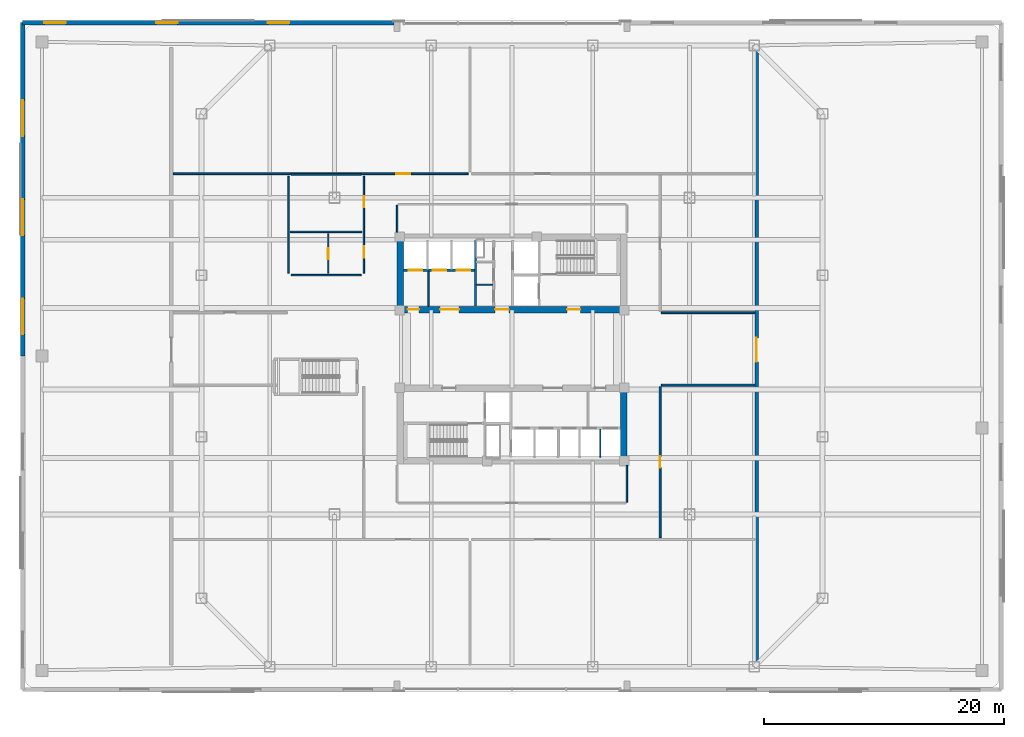
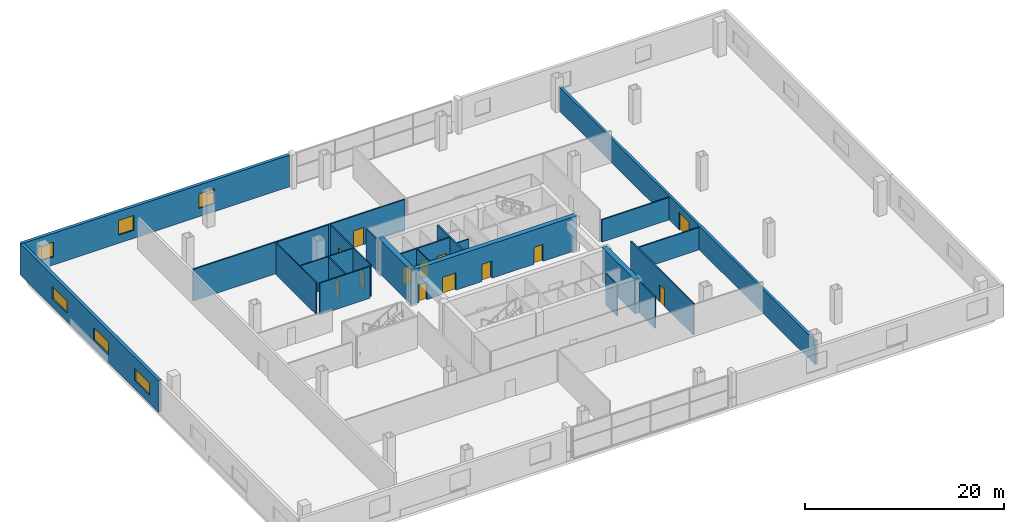
# One storey, part 13 of 21: 23 walls, 13 doors, 6 windows, 19 openings.
"""IFC4 building model written with IfcOpenShell, lengths in metres."""

from ifc_helpers import new_model, si_unit, direction, frame, frame_2d, origin, place, context, subcontext, project, spatial, rectangle, extrude, material, layer, layer_set, type_object, element, fill, save


model = new_model("IFC4")

# Units and contexts
model_context = context("Model", 3, precision=1e-05, world=origin(), true_north=direction((0.0, 1.0)))
body_context = subcontext(model_context, "Body", "Model", "MODEL_VIEW")
ifc_project = project(units=[si_unit("LENGTHUNIT", "METRE"), si_unit("AREAUNIT", "SQUARE_METRE"), si_unit("VOLUMEUNIT", "CUBIC_METRE"), si_unit("PLANEANGLEUNIT", "RADIAN"), si_unit("MASSUNIT", "GRAM", prefix="KILO")], contexts=[model_context])

# Site, building, storey
site_placement = place(None, origin())
site = spatial("IfcSite", under=ifc_project, at=site_placement, CompositionType="ELEMENT")
building_placement = place(site_placement, origin())
building = spatial("IfcBuilding", under=site, at=building_placement, Name="Qhalaya Broadcast Tower", CompositionType="ELEMENT")
storey_placement = place(building_placement, frame((0.0, 0.0, 5.10009765625)))
storey = spatial("IfcBuildingStorey", under=building, at=storey_placement, Name="L01", CompositionType="ELEMENT", Elevation=5.10009765625)

# Wall, opening, door
ifc_material_1 = material(Name="Gypsum Acoustic Partition")
ifc_layer_1 = layer(ifc_material_1, 0.14990234375, Name="Gypsum Acoustic Partition")
ifc_layer_set_1 = layer_set([ifc_layer_1], Name="Gypsum Acoustic Partition")
wall_type_1 = type_object("IfcWallType", Name="Corridor & Tenancy Acoustic Partition 150", PredefinedType="PARTITIONING", material=ifc_layer_set_1)
wall_1_placement = place(storey_placement, frame((-28.239990234375, 15.199951171875, 0.0), z_axis=(0.0, 0.0, 1.0), x_axis=(1.0, 0.0, 0.0)))
wall_1 = element("IfcWall", 1, at=wall_1_placement, inside=storey, type_object=wall_type_1, Name="L01 Partition Wall W-STN1L", PredefinedType="PARTITIONING", context=body_context, shape_type="SweptSolid", body=[
    extrude(rectangle(XDim=24.580078125, YDim=0.14990234375, at=frame_2d((12.2900390625, 0.0))), origin(), (0.0, 0.0, 1.0), 3.8798828125),
])
opening_1_placement = place(wall_1_placement, frame((18.572021484375, 0.0, 0.0)))
opening_1 = element("IfcOpeningElement", 2, at=opening_1_placement, cuts=wall_1, Name="Opening D11", PredefinedType="OPENING", context=body_context, shape_type="SweptSolid", body=[
    extrude(rectangle(XDim=1.199951171875, YDim=2.10009765625, at=frame_2d((0.60009765625, 1.050048828125))), frame((0.0, 0.0869140625, 0.0), z_axis=(0.0, -1.0, 0.0), x_axis=(1.0, 0.0, 0.0)), (0.0, 0.0, 1.0), 0.173828125),
])
ifc_material_2 = material(Name="Anodised Aluminium Glazed Door", Category="aluminium")
door_type_1 = type_object("IfcDoorType", Name="Conference, Boardroom & Studio Control Door D11", OperationType="NOTDEFINED", PredefinedType="DOOR", material=ifc_material_2)
door_1_placement = place(opening_1_placement, origin())
door_1 = element("IfcDoor", 3, at=door_1_placement, inside=storey, type_object=door_type_1, Name="L01 Door D-STN1", OperationType="SINGLE_SWING_LEFT", OverallHeight=2.10009765625, OverallWidth=1.199951171875, PredefinedType="DOOR", context=body_context, shape_type="SweptSolid", body=[
    extrude(rectangle(XDim=1.199951171875, YDim=2.10009765625, at=frame_2d((0.60009765625, 1.050048828125))), frame((0.0, 0.02490234375, 0.0), z_axis=(0.0, -1.0, 0.0), x_axis=(1.0, 0.0, 0.0)), (0.0, 0.0, 1.0), 0.050048828125),
])
fill(opening_1, door_1)

wall_2_placement = place(storey_placement, frame((12.35009765625, -15.139892578125, 0.0), z_axis=(0.0, 0.0, 1.0), x_axis=(0.0, 1.0, 0.0)))
wall_2 = element("IfcWall", 4, at=wall_2_placement, inside=storey, type_object=wall_type_1, Name="L01 Partition Wall W-STPES", PredefinedType="PARTITIONING", context=body_context, shape_type="SweptSolid", body=[
    extrude(rectangle(XDim=12.599853515625, YDim=0.14990234375, at=frame_2d((6.2998046875, 0.0))), origin(), (0.0, 0.0, 1.0), 3.8798828125),
])
opening_2_placement = place(wall_2_placement, frame((5.824951171875, 0.0, 0.0)))
opening_2 = element("IfcOpeningElement", 5, at=opening_2_placement, cuts=wall_2, Name="Opening D10", PredefinedType="OPENING", context=body_context, shape_type="SweptSolid", body=[
    extrude(rectangle(XDim=0.949951171875, YDim=2.10009765625, at=frame_2d((0.47509765625, 1.050048828125))), frame((0.0, 0.0869140625, 0.0), z_axis=(0.0, -1.0, 0.0), x_axis=(1.0, 0.0, 0.0)), (0.0, 0.0, 1.0), 0.173828125),
])
ifc_material_3 = material(Name="Timber Veneer Acoustic Door", Category="wood")
door_type_2 = type_object("IfcDoorType", Name="Cellular Office & Edit Booth Door D10", OperationType="NOTDEFINED", PredefinedType="DOOR", material=ifc_material_3)
door_2_placement = place(opening_2_placement, origin())
door_2 = element("IfcDoor", 6, at=door_2_placement, inside=storey, type_object=door_type_2, Name="L01 Door D-STPE1", OperationType="SINGLE_SWING_RIGHT", OverallHeight=2.10009765625, OverallWidth=0.949951171875, PredefinedType="DOOR", context=body_context, shape_type="SweptSolid", body=[
    extrude(rectangle(XDim=0.949951171875, YDim=2.10009765625, at=frame_2d((0.47509765625, 1.050048828125))), frame((0.0, 0.02490234375, 0.0), z_axis=(0.0, -1.0, 0.0), x_axis=(1.0, 0.0, 0.0)), (0.0, 0.0, 1.0), 0.050048828125),
])
fill(opening_2, door_2)

# Walls
for number, where, z_axis, x_axis, name in (
    (7, (12.4599609375, -2.419921875, 0.0), (0.0, 0.0, 1.0), (1.0, 0.0, 0.0), "L01 Partition Wall W-STP-CS"),
    (8, (12.4599609375, 3.6201171875, 0.0), (0.0, 0.0, 1.0), (1.0, 0.0, 0.0), "L01 Partition Wall W-STP-CN"),
):
    element("IfcWall", number, at=place(storey_placement, frame(where, z_axis=z_axis, x_axis=x_axis)), inside=storey, type_object=wall_type_1, Name=name, PredefinedType="PARTITIONING", context=body_context, shape_type="SweptSolid", body=[
        extrude(rectangle(XDim=7.800048828125, YDim=0.14990234375, at=frame_2d((3.89990234375, 0.0))), origin(), (0.0, 0.0, 1.0), 2.741943359375),
    ])

# Wall, opening, door
ifc_layer_2 = layer(ifc_material_1, 0.280029296875, Name="Gypsum Acoustic Partition")
ifc_layer_set_2 = layer_set([ifc_layer_2], Name="Gypsum Acoustic Partition")
wall_type_2 = type_object("IfcWallType", Name="Double-Leaf Soundstage Acoustic Wall 280", PredefinedType="MOVABLE", material=ifc_layer_set_2)
wall_3_placement = place(storey_placement, frame((20.39990234375, -25.739990234375, 0.0), z_axis=(0.0, 0.0, 1.0), x_axis=(0.0, 1.0, 0.0)))
wall_3 = element("IfcWall", 9, at=wall_3_placement, inside=storey, type_object=wall_type_2, Name="L01 Partition Wall W-STBE", PredefinedType="MOVABLE", context=body_context, shape_type="SweptSolid", body=[
    extrude(rectangle(XDim=51.47998046875, YDim=0.280029296875, at=frame_2d((25.739990234375, 0.0))), origin(), (0.0, 0.0, 1.0), 2.932861328125),
])
opening_3_placement = place(wall_3_placement, frame((25.2548828125, 0.0, 0.0)))
opening_3 = element("IfcOpeningElement", 10, at=opening_3_placement, cuts=wall_3, Name="Opening D08", PredefinedType="OPENING", context=body_context, shape_type="SweptSolid", body=[
    extrude(rectangle(XDim=2.0, YDim=2.139892578125, at=frame_2d((1.0, 1.06982421875))), frame((0.0, 0.152099609375, 0.0), z_axis=(0.0, -1.0, 0.0), x_axis=(1.0, 0.0, 0.0)), (0.0, 0.0, 1.0), 0.303955078125),
])
ifc_material_4 = material(Name="Acoustic Studio Isolation Steel Door", Category="steel")
door_type_3 = type_object("IfcDoorType", Name="Soundstage Acoustic Isolation Double Door D08", OperationType="DOUBLE_DOOR_SINGLE_SWING", PredefinedType="DOOR", material=ifc_material_4)
door_3_placement = place(opening_3_placement, origin())
door_3 = element("IfcDoor", 11, at=door_3_placement, inside=storey, type_object=door_type_3, Name="L01 Door D-STB1", OperationType="DOUBLE_DOOR_SINGLE_SWING", OverallHeight=2.139892578125, OverallWidth=2.0, PredefinedType="DOOR", context=body_context, shape_type="SweptSolid", body=[
    extrude(rectangle(XDim=2.0, YDim=2.139892578125, at=frame_2d((1.0, 1.06982421875))), frame((0.0, 0.02490234375, 0.0), z_axis=(0.0, -1.0, 0.0), x_axis=(1.0, 0.0, 0.0)), (0.0, 0.0, 1.0), 0.050048828125),
])
fill(opening_3, door_3)

# Wall, openings, windows
ifc_material_5 = material(Name="Precast Concrete C40/50", Category="concrete")
ifc_layer_3 = layer(ifc_material_5, 0.360107421875, Name="Precast Concrete C40/50")
ifc_layer_set_3 = layer_set([ifc_layer_3], Name="Precast Concrete C40/50")
wall_type_3 = type_object("IfcWallType", Name="Insulated Precast Terracotta Exterior Wall 360", PredefinedType="SOLIDWALL", material=ifc_layer_set_3)
wall_4_placement = place(storey_placement, frame((-40.800048828125, 27.800048828125, 0.0), z_axis=(0.0, 0.0, 1.0), x_axis=(1.0, 0.0, 0.0)))
wall_4 = element("IfcWall", 12, at=wall_4_placement, inside=storey, type_object=wall_type_3, Name="L01 Podium Exterior Terracotta Wall EW-NW", PredefinedType="SOLIDWALL", context=body_context, shape_type="SweptSolid", body=[
    extrude(rectangle(XDim=30.9599609375, YDim=0.360107421875, at=frame_2d((15.47998046875, 0.0))), origin(), (0.0, 0.0, 1.0), 3.8798828125),
])
opening_4_placement = place(wall_4_placement, frame((1.800048828125, 0.0, 1.0)))
opening_4 = element("IfcOpeningElement", 13, at=opening_4_placement, cuts=wall_4, Name="Opening W02", PredefinedType="OPENING", context=body_context, shape_type="SweptSolid", body=[
    extrude(rectangle(XDim=1.800048828125, YDim=1.800048828125, at=frame_2d((0.89990234375, 0.89990234375))), frame((0.0, 0.192138671875, 0.0), z_axis=(0.0, -1.0, 0.0), x_axis=(1.0, 0.0, 0.0)), (0.0, 0.0, 1.0), 0.384033203125),
])
opening_5_placement = place(wall_4_placement, frame((11.1201171875, 0.0, 1.0)))
opening_5 = element("IfcOpeningElement", 14, at=opening_5_placement, cuts=wall_4, Name="Opening W02", PredefinedType="OPENING", context=body_context, shape_type="SweptSolid", body=[
    extrude(rectangle(XDim=1.800048828125, YDim=1.800048828125, at=frame_2d((0.89990234375, 0.89990234375))), frame((0.0, 0.192138671875, 0.0), z_axis=(0.0, -1.0, 0.0), x_axis=(1.0, 0.0, 0.0)), (0.0, 0.0, 1.0), 0.384033203125),
])
opening_6_placement = place(wall_4_placement, frame((20.43994140625, 0.0, 1.0)))
opening_6 = element("IfcOpeningElement", 15, at=opening_6_placement, cuts=wall_4, Name="Opening W02", PredefinedType="OPENING", context=body_context, shape_type="SweptSolid", body=[
    extrude(rectangle(XDim=1.800048828125, YDim=1.800048828125, at=frame_2d((0.89990234375, 0.89990234375))), frame((0.0, 0.192138671875, 0.0), z_axis=(0.0, -1.0, 0.0), x_axis=(1.0, 0.0, 0.0)), (0.0, 0.0, 1.0), 0.384033203125),
])
ifc_material_6 = material(Name="Solar-Control Low-E Triple Glazing", Category="glass")
window_type_1 = type_object("IfcWindowType", Name="Podium Production Office Window W02", PartitioningType="SINGLE_PANEL", PredefinedType="WINDOW", material=ifc_material_6)
window_1_placement = place(opening_4_placement, origin())
window_1 = element("IfcWindow", 16, at=window_1_placement, inside=storey, type_object=window_type_1, Name="L01 Facade Window W02-1", OverallHeight=1.800048828125, OverallWidth=1.800048828125, PartitioningType="SINGLE_PANEL", PredefinedType="WINDOW", context=body_context, shape_type="SweptSolid", body=[
    extrude(rectangle(XDim=1.800048828125, YDim=1.800048828125, at=frame_2d((0.89990234375, 0.89990234375))), frame((0.0, 0.030029296875, 0.0), z_axis=(0.0, -1.0, 0.0), x_axis=(1.0, 0.0, 0.0)), (0.0, 0.0, 1.0), 0.06005859375),
])
fill(opening_4, window_1)
window_2_placement = place(opening_5_placement, origin())
window_2 = element("IfcWindow", 17, at=window_2_placement, inside=storey, type_object=window_type_1, Name="L01 Facade Window W02-2", OverallHeight=1.800048828125, OverallWidth=1.800048828125, PartitioningType="SINGLE_PANEL", PredefinedType="WINDOW", context=body_context, shape_type="SweptSolid", body=[
    extrude(rectangle(XDim=1.800048828125, YDim=1.800048828125, at=frame_2d((0.89990234375, 0.89990234375))), frame((0.0, 0.030029296875, 0.0), z_axis=(0.0, -1.0, 0.0), x_axis=(1.0, 0.0, 0.0)), (0.0, 0.0, 1.0), 0.06005859375),
])
fill(opening_5, window_2)
window_3_placement = place(opening_6_placement, origin())
window_3 = element("IfcWindow", 18, at=window_3_placement, inside=storey, type_object=window_type_1, Name="L01 Facade Window W02-3", OverallHeight=1.800048828125, OverallWidth=1.800048828125, PartitioningType="SINGLE_PANEL", PredefinedType="WINDOW", context=body_context, shape_type="SweptSolid", body=[
    extrude(rectangle(XDim=1.800048828125, YDim=1.800048828125, at=frame_2d((0.89990234375, 0.89990234375))), frame((0.0, 0.030029296875, 0.0), z_axis=(0.0, -1.0, 0.0), x_axis=(1.0, 0.0, 0.0)), (0.0, 0.0, 1.0), 0.06005859375),
])
fill(opening_6, window_3)

wall_5_placement = place(storey_placement, frame((-40.800048828125, 0.0, 0.0), z_axis=(0.0, 0.0, 1.0), x_axis=(0.0, 1.0, 0.0)))
wall_5 = element("IfcWall", 19, at=wall_5_placement, inside=storey, type_object=wall_type_3, Name="L01 Podium Exterior Terracotta Wall EW-WN", PredefinedType="SOLIDWALL", context=body_context, shape_type="SweptSolid", body=[
    extrude(rectangle(XDim=27.800048828125, YDim=0.360107421875, at=frame_2d((13.89990234375, 0.0))), origin(), (0.0, 0.0, 1.0), 3.8798828125),
])
opening_7_placement = place(wall_5_placement, frame((1.800048828125, 0.0, 1.0)))
opening_7 = element("IfcOpeningElement", 20, at=opening_7_placement, cuts=wall_5, Name="Opening W03", PredefinedType="OPENING", context=body_context, shape_type="SweptSolid", body=[
    extrude(rectangle(XDim=3.0, YDim=1.5, at=frame_2d((1.5, 0.75))), frame((0.0, 0.192138671875, 0.0), z_axis=(0.0, -1.0, 0.0), x_axis=(1.0, 0.0, 0.0)), (0.0, 0.0, 1.0), 0.384033203125),
])
opening_8_placement = place(wall_5_placement, frame((10.06689453125, 0.0, 1.0)))
opening_8 = element("IfcOpeningElement", 21, at=opening_8_placement, cuts=wall_5, Name="Opening W03", PredefinedType="OPENING", context=body_context, shape_type="SweptSolid", body=[
    extrude(rectangle(XDim=3.0, YDim=1.5, at=frame_2d((1.5, 0.75))), frame((0.0, 0.192138671875, 0.0), z_axis=(0.0, -1.0, 0.0), x_axis=(1.0, 0.0, 0.0)), (0.0, 0.0, 1.0), 0.384033203125),
])
opening_9_placement = place(wall_5_placement, frame((18.3330078125, 0.0, 1.0)))
opening_9 = element("IfcOpeningElement", 22, at=opening_9_placement, cuts=wall_5, Name="Opening W03", PredefinedType="OPENING", context=body_context, shape_type="SweptSolid", body=[
    extrude(rectangle(XDim=3.0, YDim=1.5, at=frame_2d((1.5, 0.75))), frame((0.0, 0.192138671875, 0.0), z_axis=(0.0, -1.0, 0.0), x_axis=(1.0, 0.0, 0.0)), (0.0, 0.0, 1.0), 0.384033203125),
])
window_type_2 = type_object("IfcWindowType", Name="Podium Concourse Clerestory Window W03", PartitioningType="SINGLE_PANEL", PredefinedType="WINDOW", material=ifc_material_6)
window_4_placement = place(opening_7_placement, origin())
window_4 = element("IfcWindow", 23, at=window_4_placement, inside=storey, type_object=window_type_2, Name="L01 Facade Window W03-1", OverallHeight=1.5, OverallWidth=3.0, PartitioningType="SINGLE_PANEL", PredefinedType="WINDOW", context=body_context, shape_type="SweptSolid", body=[
    extrude(rectangle(XDim=3.0, YDim=1.5, at=frame_2d((1.5, 0.75))), frame((0.0, 0.030029296875, 0.0), z_axis=(0.0, -1.0, 0.0), x_axis=(1.0, 0.0, 0.0)), (0.0, 0.0, 1.0), 0.06005859375),
])
fill(opening_7, window_4)
window_5_placement = place(opening_8_placement, origin())
window_5 = element("IfcWindow", 24, at=window_5_placement, inside=storey, type_object=window_type_2, Name="L01 Facade Window W03-2", OverallHeight=1.5, OverallWidth=3.0, PartitioningType="SINGLE_PANEL", PredefinedType="WINDOW", context=body_context, shape_type="SweptSolid", body=[
    extrude(rectangle(XDim=3.0, YDim=1.5, at=frame_2d((1.5, 0.75))), frame((0.0, 0.030029296875, 0.0), z_axis=(0.0, -1.0, 0.0), x_axis=(1.0, 0.0, 0.0)), (0.0, 0.0, 1.0), 0.06005859375),
])
fill(opening_8, window_5)
window_6_placement = place(opening_9_placement, origin())
window_6 = element("IfcWindow", 25, at=window_6_placement, inside=storey, type_object=window_type_2, Name="L01 Facade Window W03-3", OverallHeight=1.5, OverallWidth=3.0, PartitioningType="SINGLE_PANEL", PredefinedType="WINDOW", context=body_context, shape_type="SweptSolid", body=[
    extrude(rectangle(XDim=3.0, YDim=1.5, at=frame_2d((1.5, 0.75))), frame((0.0, 0.030029296875, 0.0), z_axis=(0.0, -1.0, 0.0), x_axis=(1.0, 0.0, 0.0)), (0.0, 0.0, 1.0), 0.06005859375),
])
fill(opening_9, window_6)

# Wall, openings, doors
ifc_material_7 = material(Name="Concrete C60/75", Category="concrete")
ifc_layer_4 = layer(ifc_material_7, 0.550048828125, Name="Concrete C60/75")
ifc_layer_set_4 = layer_set([ifc_layer_4], Name="Concrete C60/75")
wall_type_4 = type_object("IfcWallType", Name="Lower Split-Core Shear Wall 550", PredefinedType="SHEAR", material=ifc_layer_set_4)
wall_6_placement = place(storey_placement, frame((-9.60009765625, 3.875, 0.0), z_axis=(0.0, 0.0, 1.0), x_axis=(1.0, 0.0, 0.0)))
wall_6 = element("IfcWall", 26, at=wall_6_placement, inside=storey, type_object=wall_type_4, Name="L01 Split-Core Shear Wall CW-NS", PredefinedType="SHEAR", context=body_context, shape_type="SweptSolid", body=[
    extrude(rectangle(XDim=19.2001953125, YDim=0.550048828125, at=frame_2d((9.60009765625, 0.0))), origin(), (0.0, 0.0, 1.0), 4.199951171875),
])
opening_10_placement = place(wall_6_placement, frame((14.199951171875, 0.0, 0.0)))
opening_10 = element("IfcOpeningElement", 27, at=opening_10_placement, cuts=wall_6, Name="Opening D04", PredefinedType="OPENING", context=body_context, shape_type="SweptSolid", body=[
    extrude(rectangle(XDim=1.10009765625, YDim=2.080078125, at=frame_2d((0.550048828125, 1.0400390625))), frame((0.0, 0.287109375, 0.0), z_axis=(0.0, -1.0, 0.0), x_axis=(1.0, 0.0, 0.0)), (0.0, 0.0, 1.0), 0.573974609375),
])
opening_11_placement = place(wall_6_placement, frame((8.199951171875, 0.0, 0.0)))
opening_11 = element("IfcOpeningElement", 28, at=opening_11_placement, cuts=wall_6, Name="Opening D05", PredefinedType="OPENING", context=body_context, shape_type="SweptSolid", body=[
    extrude(rectangle(XDim=1.14990234375, YDim=2.10009765625, at=frame_2d((0.574951171875, 1.050048828125))), frame((0.0, 0.287109375, 0.0), z_axis=(0.0, -1.0, 0.0), x_axis=(1.0, 0.0, 0.0)), (0.0, 0.0, 1.0), 0.573974609375),
])
opening_12_placement = place(wall_6_placement, frame((0.89990234375, 0.0, 0.0)))
opening_12 = element("IfcOpeningElement", 29, at=opening_12_placement, cuts=wall_6, Name="Opening D10", PredefinedType="OPENING", context=body_context, shape_type="SweptSolid", body=[
    extrude(rectangle(XDim=0.949951171875, YDim=2.10009765625, at=frame_2d((0.47509765625, 1.050048828125))), frame((0.0, 0.287109375, 0.0), z_axis=(0.0, -1.0, 0.0), x_axis=(1.0, 0.0, 0.0)), (0.0, 0.0, 1.0), 0.573974609375),
])
opening_13_placement = place(wall_6_placement, frame((3.60009765625, 0.0, 0.0)))
opening_13 = element("IfcOpeningElement", 30, at=opening_13_placement, cuts=wall_6, Name="Opening D07", PredefinedType="OPENING", context=body_context, shape_type="SweptSolid", body=[
    extrude(rectangle(XDim=1.60009765625, YDim=2.1201171875, at=frame_2d((0.800048828125, 1.06005859375))), frame((0.0, 0.287109375, 0.0), z_axis=(0.0, -1.0, 0.0), x_axis=(1.0, 0.0, 0.0)), (0.0, 0.0, 1.0), 0.573974609375),
])
door_4_placement = place(opening_12_placement, origin())
door_4 = element("IfcDoor", 31, at=door_4_placement, inside=storey, type_object=door_type_2, Name="L01 Door D-NLPNT", OperationType="SINGLE_SWING_RIGHT", OverallHeight=2.10009765625, OverallWidth=0.949951171875, PredefinedType="DOOR", context=body_context, shape_type="SweptSolid", body=[
    extrude(rectangle(XDim=0.949951171875, YDim=2.10009765625, at=frame_2d((0.47509765625, 1.050048828125))), frame((0.0, 0.02490234375, 0.0), z_axis=(0.0, -1.0, 0.0), x_axis=(1.0, 0.0, 0.0)), (0.0, 0.0, 1.0), 0.050048828125),
])
fill(opening_12, door_4)
ifc_material_8 = material(Name="Fire-Rated Steel Door", Category="steel")
door_type_4 = type_object("IfcDoorType", Name="Firefighting Lobby Rated Door D04", OperationType="NOTDEFINED", PredefinedType="DOOR", material=ifc_material_8)
door_5_placement = place(opening_10_placement, origin())
door_5 = element("IfcDoor", 32, at=door_5_placement, inside=storey, type_object=door_type_4, Name="L01 Door D-NFF", OperationType="SINGLE_SWING_RIGHT", OverallHeight=2.080078125, OverallWidth=1.10009765625, PredefinedType="DOOR", context=body_context, shape_type="SweptSolid", body=[
    extrude(rectangle(XDim=1.10009765625, YDim=2.080078125, at=frame_2d((0.550048828125, 1.0400390625))), frame((0.0, 0.02490234375, 0.0), z_axis=(0.0, -1.0, 0.0), x_axis=(1.0, 0.0, 0.0)), (0.0, 0.0, 1.0), 0.050048828125),
])
fill(opening_10, door_5)
door_type_5 = type_object("IfcDoorType", Name="Passenger Lift Lobby Double Glazed Door D07", OperationType="DOUBLE_DOOR_SINGLE_SWING", PredefinedType="DOOR", material=ifc_material_2)
door_6_placement = place(opening_13_placement, origin())
door_6 = element("IfcDoor", 33, at=door_6_placement, inside=storey, type_object=door_type_5, Name="L01 Door D-NPLL", OperationType="DOUBLE_DOOR_SINGLE_SWING", OverallHeight=2.1201171875, OverallWidth=1.60009765625, PredefinedType="DOOR", context=body_context, shape_type="SweptSolid", body=[
    extrude(rectangle(XDim=1.60009765625, YDim=2.1201171875, at=frame_2d((0.800048828125, 1.06005859375))), frame((0.0, 0.02490234375, 0.0), z_axis=(0.0, -1.0, 0.0), x_axis=(1.0, 0.0, 0.0)), (0.0, 0.0, 1.0), 0.050048828125),
])
fill(opening_13, door_6)
door_type_6 = type_object("IfcDoorType", Name="Refuge & Plant Room Fire Door D05", OperationType="NOTDEFINED", PredefinedType="DOOR", material=ifc_material_8)
door_7_placement = place(opening_11_placement, origin())
door_7 = element("IfcDoor", 34, at=door_7_placement, inside=storey, type_object=door_type_6, Name="L01 Door D-NSVL", OperationType="SINGLE_SWING_LEFT", OverallHeight=2.10009765625, OverallWidth=1.14990234375, PredefinedType="DOOR", context=body_context, shape_type="SweptSolid", body=[
    extrude(rectangle(XDim=1.14990234375, YDim=2.10009765625, at=frame_2d((0.574951171875, 1.050048828125))), frame((0.0, 0.02490234375, 0.0), z_axis=(0.0, -1.0, 0.0), x_axis=(1.0, 0.0, 0.0)), (0.0, 0.0, 1.0), 0.050048828125),
])
fill(opening_11, door_7)

# Walls
wall_7_placement = place(storey_placement, frame((-9.324951171875, 3.60009765625, 0.0), z_axis=(0.0, 0.0, 1.0), x_axis=(0.0, 1.0, 0.0)))
element("IfcWall", 35, at=wall_7_placement, inside=storey, type_object=wall_type_4, Name="L01 Split-Core Shear Wall CW-NW", PredefinedType="SHEAR", context=body_context, shape_type="SweptSolid", body=[
    extrude(rectangle(XDim=6.599853515625, YDim=0.550048828125, at=frame_2d((3.2998046875, 0.0))), origin(), (0.0, 0.0, 1.0), 4.199951171875),
])
wall_8_placement = place(storey_placement, frame((9.324951171875, -9.0, 0.0), z_axis=(0.0, 0.0, 1.0), x_axis=(0.0, 1.0, 0.0)))
element("IfcWall", 36, at=wall_8_placement, inside=storey, type_object=wall_type_4, Name="L01 Split-Core Shear Wall CW-SE", PredefinedType="SHEAR", context=body_context, shape_type="SweptSolid", body=[
    extrude(rectangle(XDim=6.60009765625, YDim=0.550048828125, at=frame_2d((3.300048828125, 0.0))), origin(), (0.0, 0.0, 1.0), 4.199951171875),
])
ifc_layer_5 = layer(ifc_material_1, 0.1201171875, Name="Gypsum Acoustic Partition")
ifc_layer_set_5 = layer_set([ifc_layer_5], Name="Gypsum Acoustic Partition")
wall_type_5 = type_object("IfcWallType", Name="Office, Booth & Sanitary Partition 120", PredefinedType="PARTITIONING", material=ifc_layer_set_5)
wall_9_placement = place(storey_placement, frame((-2.9599609375, 5.949951171875, 0.0), z_axis=(0.0, 0.0, 1.0), x_axis=(1.0, 0.0, 0.0)))
element("IfcWall", 37, at=wall_9_placement, inside=storey, type_object=wall_type_5, Name="L01 Partition Wall NCW-VB1", PredefinedType="PARTITIONING", context=body_context, shape_type="SweptSolid", body=[
    extrude(rectangle(XDim=1.35986328125, YDim=0.1201171875, at=frame_2d((0.679931640625, 0.0))), origin(), (0.0, 0.0, 1.0), 3.8798828125),
])
wall_10_placement = place(storey_placement, frame((-6.949951171875, 4.169921875, 0.0), z_axis=(0.0, 0.0, 1.0), x_axis=(0.0, 1.0, 0.0)))
element("IfcWall", 38, at=wall_10_placement, inside=storey, type_object=wall_type_5, Name="L01 Partition Wall NCW-LKB", PredefinedType="PARTITIONING", context=body_context, shape_type="SweptSolid", body=[
    extrude(rectangle(XDim=2.89013671875, YDim=0.1201171875, at=frame_2d((1.445068359375, 0.0))), origin(), (0.0, 0.0, 1.0), 3.8798828125),
])
wall_11_placement = place(storey_placement, frame((7.360107421875, -8.429931640625, 0.0), z_axis=(0.0, 0.0, 1.0), x_axis=(0.0, 1.0, 0.0)))
element("IfcWall", 39, at=wall_11_placement, inside=storey, type_object=wall_type_5, Name="L01 Partition Wall SCW-HD7", PredefinedType="PARTITIONING", context=body_context, shape_type="SweptSolid", body=[
    extrude(rectangle(XDim=2.329833984375, YDim=0.1201171875, at=frame_2d((1.1650390625, 0.0))), origin(), (0.0, 0.0, 1.0), 3.8798828125),
])
for number, where, z_axis, x_axis, name in (
    (40, (-18.419921875, 6.75, 0.0), (0.0, 0.0, 1.0), (1.0, 0.0, 0.0), "L01 Partition Wall W-PWCS"),
    (41, (-18.419921875, 15.14990234375, 0.0), (0.0, 0.0, 1.0), (1.0, 0.0, 0.0), "L01 Partition Wall W-PWCN"),
):
    element("IfcWall", number, at=place(storey_placement, frame(where, z_axis=z_axis, x_axis=x_axis)), inside=storey, type_object=wall_type_5, Name=name, PredefinedType="PARTITIONING", context=body_context, shape_type="SweptSolid", body=[
        extrude(rectangle(XDim=5.83984375, YDim=0.1201171875, at=frame_2d((2.919921875, 0.0))), origin(), (0.0, 0.0, 1.0), 3.8798828125),
    ])
wall_12_placement = place(storey_placement, frame((-18.64990234375, 6.909912109375, 0.0), z_axis=(0.0, 0.0, 1.0), x_axis=(0.0, 1.0, 0.0)))
element("IfcWall", 42, at=wall_12_placement, inside=storey, type_object=wall_type_5, Name="L01 Partition Wall W-PWCW", PredefinedType="PARTITIONING", context=body_context, shape_type="SweptSolid", body=[
    extrude(rectangle(XDim=8.080078125, YDim=0.1201171875, at=frame_2d((4.0400390625, 0.0))), origin(), (0.0, 0.0, 1.0), 3.8798828125),
])
wall_13_placement = place(storey_placement, frame((-18.489990234375, 10.35009765625, 0.0), z_axis=(0.0, 0.0, 1.0), x_axis=(1.0, 0.0, 0.0)))
element("IfcWall", 43, at=wall_13_placement, inside=storey, type_object=wall_type_5, Name="L01 Partition Wall W-PWCM", PredefinedType="PARTITIONING", context=body_context, shape_type="SweptSolid", body=[
    extrude(rectangle(XDim=5.97998046875, YDim=0.1201171875, at=frame_2d((2.989990234375, 0.0))), origin(), (0.0, 0.0, 1.0), 3.8798828125),
])

# Wall, opening, door
wall_14_placement = place(storey_placement, frame((-15.320068359375, 6.909912109375, 0.0), z_axis=(0.0, 0.0, 1.0), x_axis=(0.0, 1.0, 0.0)))
wall_14 = element("IfcWall", 44, at=wall_14_placement, inside=storey, type_object=wall_type_5, Name="L01 Partition Wall W-PWCD", PredefinedType="PARTITIONING", context=body_context, shape_type="SweptSolid", body=[
    extrude(rectangle(XDim=3.280029296875, YDim=0.1201171875, at=frame_2d((1.64013671875, 0.0))), origin(), (0.0, 0.0, 1.0), 3.8798828125),
])
opening_14_placement = place(wall_14_placement, frame((1.1650390625, 0.0, 0.0)))
opening_14 = element("IfcOpeningElement", 45, at=opening_14_placement, cuts=wall_14, Name="Opening D12", PredefinedType="OPENING", context=body_context, shape_type="SweptSolid", body=[
    extrude(rectangle(XDim=0.919921875, YDim=2.10009765625, at=frame_2d((0.4599609375, 1.050048828125))), frame((0.0, 0.072021484375, 0.0), z_axis=(0.0, -1.0, 0.0), x_axis=(1.0, 0.0, 0.0)), (0.0, 0.0, 1.0), 0.14404296875),
])
door_type_7 = type_object("IfcDoorType", Name="Accessible WC & Restroom Door D12", OperationType="NOTDEFINED", PredefinedType="DOOR", material=ifc_material_3)
door_8_placement = place(opening_14_placement, origin())
door_8 = element("IfcDoor", 46, at=door_8_placement, inside=storey, type_object=door_type_7, Name="L01 Door D-PWCA", OperationType="SINGLE_SWING_LEFT", OverallHeight=2.10009765625, OverallWidth=0.919921875, PredefinedType="DOOR", context=body_context, shape_type="SweptSolid", body=[
    extrude(rectangle(XDim=0.919921875, YDim=2.10009765625, at=frame_2d((0.4599609375, 1.050048828125))), frame((0.0, 0.02490234375, 0.0), z_axis=(0.0, -1.0, 0.0), x_axis=(1.0, 0.0, 0.0)), (0.0, 0.0, 1.0), 0.050048828125),
])
fill(opening_14, door_8)

# Wall, openings, doors
wall_15_placement = place(storey_placement, frame((-12.35009765625, 6.909912109375, 0.0), z_axis=(0.0, 0.0, 1.0), x_axis=(0.0, 1.0, 0.0)))
wall_15 = element("IfcWall", 47, at=wall_15_placement, inside=storey, type_object=wall_type_5, Name="L01 Partition Wall W-PWCE", PredefinedType="PARTITIONING", context=body_context, shape_type="SweptSolid", body=[
    extrude(rectangle(XDim=8.080078125, YDim=0.1201171875, at=frame_2d((4.0400390625, 0.0))), origin(), (0.0, 0.0, 1.0), 3.8798828125),
])
opening_15_placement = place(wall_15_placement, frame((1.302978515625, 0.0, 0.0)))
opening_15 = element("IfcOpeningElement", 48, at=opening_15_placement, cuts=wall_15, Name="Opening D10", PredefinedType="OPENING", context=body_context, shape_type="SweptSolid", body=[
    extrude(rectangle(XDim=0.949951171875, YDim=2.10009765625, at=frame_2d((0.47509765625, 1.050048828125))), frame((0.0, 0.072021484375, 0.0), z_axis=(0.0, -1.0, 0.0), x_axis=(1.0, 0.0, 0.0)), (0.0, 0.0, 1.0), 0.14404296875),
])
opening_16_placement = place(wall_15_placement, frame((5.50390625, 0.0, 0.0)))
opening_16 = element("IfcOpeningElement", 49, at=opening_16_placement, cuts=wall_15, Name="Opening D12", PredefinedType="OPENING", context=body_context, shape_type="SweptSolid", body=[
    extrude(rectangle(XDim=0.919921875, YDim=2.10009765625, at=frame_2d((0.4599609375, 1.050048828125))), frame((0.0, 0.072021484375, 0.0), z_axis=(0.0, -1.0, 0.0), x_axis=(1.0, 0.0, 0.0)), (0.0, 0.0, 1.0), 0.14404296875),
])
door_9_placement = place(opening_16_placement, origin())
door_9 = element("IfcDoor", 50, at=door_9_placement, inside=storey, type_object=door_type_7, Name="L01 Door D-PWCM", OperationType="SINGLE_SWING_LEFT", OverallHeight=2.10009765625, OverallWidth=0.919921875, PredefinedType="DOOR", context=body_context, shape_type="SweptSolid", body=[
    extrude(rectangle(XDim=0.919921875, YDim=2.10009765625, at=frame_2d((0.4599609375, 1.050048828125))), frame((0.0, 0.02490234375, 0.0), z_axis=(0.0, -1.0, 0.0), x_axis=(1.0, 0.0, 0.0)), (0.0, 0.0, 1.0), 0.050048828125),
])
fill(opening_16, door_9)
door_10_placement = place(opening_15_placement, origin())
door_10 = element("IfcDoor", 51, at=door_10_placement, inside=storey, type_object=door_type_2, Name="L01 Door D-PWCP", OperationType="SINGLE_SWING_RIGHT", OverallHeight=2.10009765625, OverallWidth=0.949951171875, PredefinedType="DOOR", context=body_context, shape_type="SweptSolid", body=[
    extrude(rectangle(XDim=0.949951171875, YDim=2.10009765625, at=frame_2d((0.47509765625, 1.050048828125))), frame((0.0, 0.02490234375, 0.0), z_axis=(0.0, -1.0, 0.0), x_axis=(1.0, 0.0, 0.0)), (0.0, 0.0, 1.0), 0.050048828125),
])
fill(opening_15, door_10)

# Walls
wall_16_placement = place(storey_placement, frame((-9.580078125, 10.31005859375, 0.0), z_axis=(0.0, 0.0, 1.0), x_axis=(0.0, 1.0, 0.0)))
element("IfcWall", 52, at=wall_16_placement, inside=storey, type_object=wall_type_5, Name="L01 Partition Wall W-PCSHNW", PredefinedType="PARTITIONING", context=body_context, shape_type="SweptSolid", body=[
    extrude(rectangle(XDim=2.280029296875, YDim=0.1201171875, at=frame_2d((1.14013671875, 0.0))), origin(), (0.0, 0.0, 1.0), 3.8798828125),
])
wall_17_placement = place(storey_placement, frame((9.580078125, -12.18994140625, 0.0), z_axis=(0.0, 0.0, 1.0), x_axis=(0.0, 1.0, 0.0)))
element("IfcWall", 53, at=wall_17_placement, inside=storey, type_object=wall_type_5, Name="L01 Partition Wall W-PCSHSE", PredefinedType="PARTITIONING", context=body_context, shape_type="SweptSolid", body=[
    extrude(rectangle(XDim=3.079833984375, YDim=0.1201171875, at=frame_2d((1.5400390625, 0.0))), origin(), (0.0, 0.0, 1.0), 3.8798828125),
])
ifc_layer_6 = layer(ifc_material_1, 0.175048828125, Name="Gypsum Acoustic Partition")
ifc_layer_set_6 = layer_set([ifc_layer_6], Name="Gypsum Acoustic Partition")
wall_type_6 = type_object("IfcWallType", Name="Shaft & Riser Fire Partition 175", PredefinedType="PARTITIONING", material=ifc_layer_set_6)
wall_18_placement = place(storey_placement, frame((-3.0400390625, 4.169921875, 0.0), z_axis=(0.0, 0.0, 1.0), x_axis=(0.0, 1.0, 0.0)))
element("IfcWall", 54, at=wall_18_placement, inside=storey, type_object=wall_type_6, Name="L01 Partition Wall NCW-VRW", PredefinedType="PARTITIONING", context=body_context, shape_type="SweptSolid", body=[
    extrude(rectangle(XDim=5.4599609375, YDim=0.175048828125, at=frame_2d((2.72998046875, 0.0))), origin(), (0.0, 0.0, 1.0), 3.8798828125),
])

# Wall, openings, doors
wall_19_placement = place(storey_placement, frame((-9.030029296875, 7.159912109375, 0.0), z_axis=(0.0, 0.0, 1.0), x_axis=(1.0, 0.0, 0.0)))
wall_19 = element("IfcWall", 55, at=wall_19_placement, inside=storey, type_object=wall_type_6, Name="L01 Partition Wall NCW-PLB", PredefinedType="PARTITIONING", context=body_context, shape_type="SweptSolid", body=[
    extrude(rectangle(XDim=5.909912109375, YDim=0.175048828125, at=frame_2d((2.955078125, 0.0))), origin(), (0.0, 0.0, 1.0), 3.8798828125),
])
opening_17_placement = place(wall_19_placement, frame((0.429931640625, 0.0, 0.0)))
opening_17 = element("IfcOpeningElement", 56, at=opening_17_placement, cuts=wall_19, Name="Opening LD1", PredefinedType="OPENING", context=body_context, shape_type="SweptSolid", body=[
    extrude(rectangle(XDim=1.10009765625, YDim=2.06005859375, at=frame_2d((0.550048828125, 1.030029296875))), frame((0.0, 0.099609375, 0.0), z_axis=(0.0, -1.0, 0.0), x_axis=(1.0, 0.0, 0.0)), (0.0, 0.0, 1.0), 0.198974609375),
])
opening_18_placement = place(wall_19_placement, frame((2.429931640625, 0.0, 0.0)))
opening_18 = element("IfcOpeningElement", 57, at=opening_18_placement, cuts=wall_19, Name="Opening LD1", PredefinedType="OPENING", context=body_context, shape_type="SweptSolid", body=[
    extrude(rectangle(XDim=1.10009765625, YDim=2.06005859375, at=frame_2d((0.550048828125, 1.030029296875))), frame((0.0, 0.099609375, 0.0), z_axis=(0.0, -1.0, 0.0), x_axis=(1.0, 0.0, 0.0)), (0.0, 0.0, 1.0), 0.198974609375),
])
opening_19_placement = place(wall_19_placement, frame((4.429931640625, 0.0, 0.0)))
opening_19 = element("IfcOpeningElement", 58, at=opening_19_placement, cuts=wall_19, Name="Opening LD1", PredefinedType="OPENING", context=body_context, shape_type="SweptSolid", body=[
    extrude(rectangle(XDim=1.10009765625, YDim=2.06005859375, at=frame_2d((0.550048828125, 1.030029296875))), frame((0.0, 0.099609375, 0.0), z_axis=(0.0, -1.0, 0.0), x_axis=(1.0, 0.0, 0.0)), (0.0, 0.0, 1.0), 0.198974609375),
])
ifc_material_9 = material(Name="Brushed Stainless Steel Lift Door", Category="steel")
door_type_8 = type_object("IfcDoorType", Name="Passenger Lift Sliding Landing Door LD1", OperationType="DOUBLE_DOOR_SLIDING", PredefinedType="DOOR", material=ifc_material_9)
door_11_placement = place(opening_17_placement, origin())
door_11 = element("IfcDoor", 59, at=door_11_placement, inside=storey, type_object=door_type_8, Name="L01 Door LD-P1", OperationType="DOUBLE_DOOR_SLIDING", OverallHeight=2.06005859375, OverallWidth=1.10009765625, PredefinedType="DOOR", context=body_context, shape_type="SweptSolid", body=[
    extrude(rectangle(XDim=1.10009765625, YDim=2.06005859375, at=frame_2d((0.550048828125, 1.030029296875))), frame((0.0, 0.02490234375, 0.0), z_axis=(0.0, -1.0, 0.0), x_axis=(1.0, 0.0, 0.0)), (0.0, 0.0, 1.0), 0.050048828125),
])
fill(opening_17, door_11)
door_12_placement = place(opening_18_placement, origin())
door_12 = element("IfcDoor", 60, at=door_12_placement, inside=storey, type_object=door_type_8, Name="L01 Door LD-P2", OperationType="DOUBLE_DOOR_SLIDING", OverallHeight=2.06005859375, OverallWidth=1.10009765625, PredefinedType="DOOR", context=body_context, shape_type="SweptSolid", body=[
    extrude(rectangle(XDim=1.10009765625, YDim=2.06005859375, at=frame_2d((0.550048828125, 1.030029296875))), frame((0.0, 0.02490234375, 0.0), z_axis=(0.0, -1.0, 0.0), x_axis=(1.0, 0.0, 0.0)), (0.0, 0.0, 1.0), 0.050048828125),
])
fill(opening_18, door_12)
door_13_placement = place(opening_19_placement, origin())
door_13 = element("IfcDoor", 61, at=door_13_placement, inside=storey, type_object=door_type_8, Name="L01 Door LD-P3", OperationType="DOUBLE_DOOR_SLIDING", OverallHeight=2.06005859375, OverallWidth=1.10009765625, PredefinedType="DOOR", context=body_context, shape_type="SweptSolid", body=[
    extrude(rectangle(XDim=1.10009765625, YDim=2.06005859375, at=frame_2d((0.550048828125, 1.030029296875))), frame((0.0, 0.02490234375, 0.0), z_axis=(0.0, -1.0, 0.0), x_axis=(1.0, 0.0, 0.0)), (0.0, 0.0, 1.0), 0.050048828125),
])
fill(opening_19, door_13)

save(model, "model.ifc")
